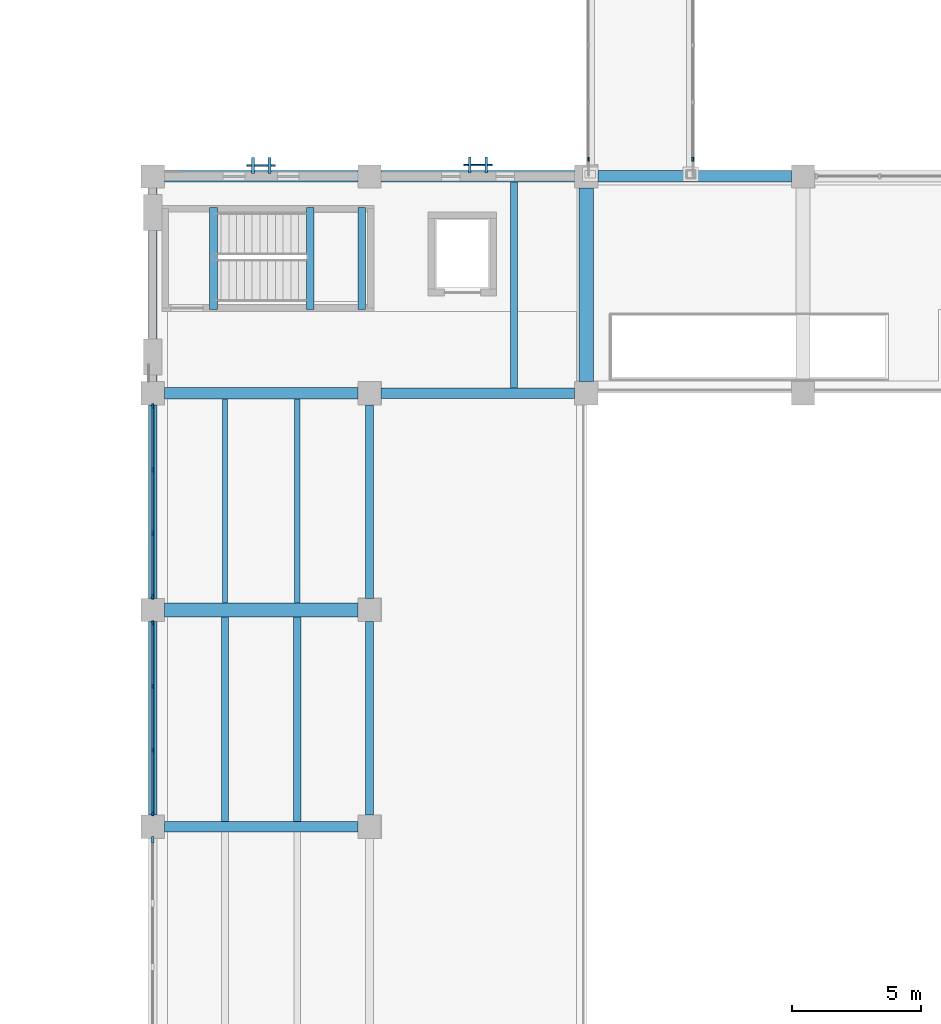
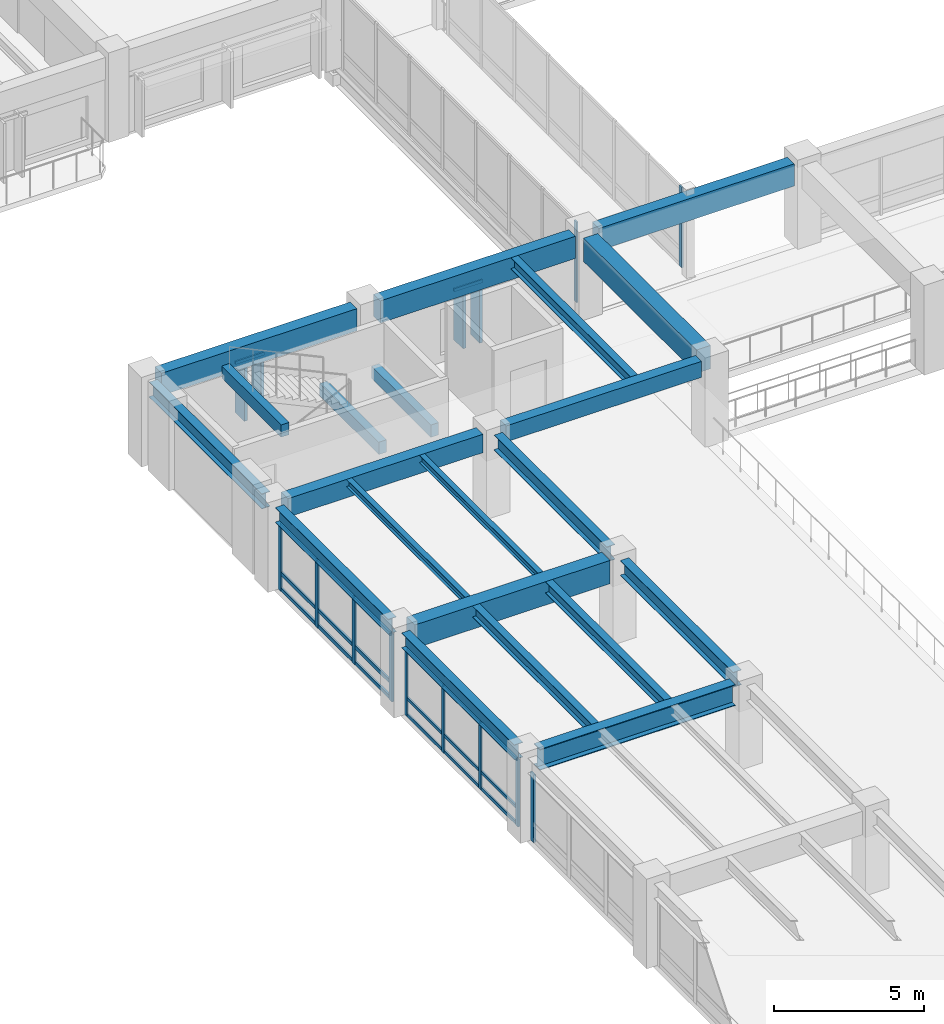
# One storey, part 17 of 118: 35 members, 21 beams, 7 elements without a shape of their own.
"""IFC4 building model written with IfcOpenShell, lengths in metres."""

from ifc_helpers import new_model, si_unit, direction, frame, origin, origin_2d, place, context, subcontext, project, spatial, rectangle, i_section, extrude, material, material_profile, profile_set, type_object, element, aggregate, save


model = new_model("IFC4")

# Units and contexts
model_context = context("Model", 3, precision=1e-05, world=origin(), true_north=direction((0.0, 1.0)))
body_context = subcontext(model_context, "Body", "Model", "MODEL_VIEW")
ifc_project = project(units=[si_unit("LENGTHUNIT", "METRE"), si_unit("AREAUNIT", "SQUARE_METRE"), si_unit("VOLUMEUNIT", "CUBIC_METRE"), si_unit("PLANEANGLEUNIT", "RADIAN"), si_unit("MASSUNIT", "GRAM", prefix="KILO")], contexts=[model_context])

# Site, building, storey
site_placement = place(None, origin())
site = spatial("IfcSite", under=ifc_project, at=site_placement, CompositionType="ELEMENT")
building_placement = place(site_placement, origin())
building = spatial("IfcBuilding", under=site, at=building_placement, Name="Cumbredor Promenade Congress Hotel", CompositionType="ELEMENT")
storey_placement = place(building_placement, frame((0.0, 0.0, 3.919921875)))
storey = spatial("IfcBuildingStorey", under=building, at=storey_placement, Name="L01", CompositionType="ELEMENT", Elevation=3.919921875)

# Beams
ifc_material_1 = material(Name="Concrete C40/50", Category="concrete")
ifc_material_profile_1 = material_profile(ifc_material_1, rectangle(XDim=0.39990234375, YDim=0.64990234375, at=origin_2d()), Name="RC BEAM 400x650")
ifc_profile_set_1 = profile_set([ifc_material_profile_1], Name="Concrete C40/50")
beam_type_1 = type_object("IfcBeamType", Name="BM-RC-400x650", PredefinedType="BEAM", material=ifc_profile_set_1)
beam_1_placement = place(storey_placement, frame((17.25, 58.800048828125, 3.03515625), z_axis=(1.0, 0.0, 0.0), x_axis=(0.0, 1.0, 0.0)))
element("IfcBeam", 1, at=beam_1_placement, inside=storey, type_object=beam_type_1, Name="L02 X-Grid Beam 041", PredefinedType="BEAM", context=body_context, shape_type="SweptSolid", body=[
    extrude(rectangle(XDim=0.39990234375, YDim=0.64990234375, at=origin_2d()), origin(), (0.0, 0.0, 1.0), 7.5),
])
ifc_material_profile_2 = material_profile(ifc_material_1, rectangle(XDim=0.449951171875, YDim=0.75, at=origin_2d()), Name="RC BEAM 450x750")
ifc_profile_set_2 = profile_set([ifc_material_profile_2], Name="Concrete C40/50")
beam_type_2 = type_object("IfcBeamType", Name="BM-RC-450x750", PredefinedType="BEAM", material=ifc_profile_set_2)
beam_2_placement = place(storey_placement, frame((8.85009765625, 58.800048828125, 2.985107421875), z_axis=(1.0, 0.0, 0.0), x_axis=(0.0, 1.0, 0.0)))
element("IfcBeam", 2, at=beam_2_placement, inside=storey, type_object=beam_type_2, Name="L02 X-Grid Beam 022", PredefinedType="BEAM", context=body_context, shape_type="SweptSolid", body=[
    extrude(rectangle(XDim=0.449951171875, YDim=0.75, at=origin_2d()), origin(), (0.0, 0.0, 1.0), 7.5),
])
ifc_material_profile_3 = material_profile(ifc_material_1, rectangle(XDim=0.550048828125, YDim=0.949951171875, at=origin_2d()), Name="RC BEAM 550x950")
ifc_profile_set_3 = profile_set([ifc_material_profile_3], Name="Concrete C40/50")
beam_type_3 = type_object("IfcBeamType", Name="BM-RC-550x950", PredefinedType="BEAM", material=ifc_profile_set_3)
for number, where, z_axis, x_axis, name in (
    (3, (8.85009765625, 50.39990234375, 2.885009765625), (1.0, 0.0, 0.0), (0.0, 1.0, 0.0), "L02 X-Grid Beam 020"),
    (4, (25.199951171875, 59.25, 2.885009765625), (0.0, 1.0, 0.0), (-1.0, 0.0, 0.0), "L02 Y-Grid Beam 052"),
):
    element("IfcBeam", number, at=place(storey_placement, frame(where, z_axis=z_axis, x_axis=x_axis)), inside=storey, type_object=beam_type_3, Name=name, PredefinedType="BEAM", context=body_context, shape_type="SweptSolid", body=[
        extrude(rectangle(XDim=0.550048828125, YDim=0.949951171875, at=origin_2d()), origin(), (0.0, 0.0, 1.0), 7.5),
    ])
ifc_material_2 = material(Name="Steel ASTM A992 Grade 50", Category="steel")
ifc_material_profile_4 = material_profile(ifc_material_2, i_section(OverallWidth=0.39990234375, OverallDepth=0.85498046875, WebThickness=0.018310546875, FlangeThickness=0.029296875, at=origin_2d()), Name="W33X201")
ifc_profile_set_4 = profile_set([ifc_material_profile_4], Name="Steel ASTM A992 Grade 50")
beam_type_4 = type_object("IfcBeamType", Name="BM-W33X201", PredefinedType="BEAM", material=ifc_profile_set_4)
beam_3_placement = place(storey_placement, frame((8.85009765625, 42.0, 2.9326171875), z_axis=(1.0, 0.0, 0.0), x_axis=(0.0, 1.0, 0.0)))
element("IfcBeam", 5, at=beam_3_placement, inside=storey, type_object=beam_type_4, Name="L02 X-Grid Beam 018", PredefinedType="BEAM", context=body_context, shape_type="SweptSolid", body=[
    extrude(i_section(OverallWidth=0.39990234375, OverallDepth=0.85498046875, WebThickness=0.018310546875, FlangeThickness=0.029296875, at=origin_2d()), origin(), (0.0, 0.0, 1.0), 7.5),
])

# Curtain wall, members
ifc_material_3 = material(Name="Thermally broken anodized aluminium and low-E glass", Category="aluminium")
curtain_wall_type_1 = type_object("IfcCurtainWallType", Name="Unitised Bronze Curtain Wall CW-01", PredefinedType="NOTDEFINED", material=ifc_material_3)
curtain_wall_1_placement = place(storey_placement, origin())
curtain_wall_1 = element("IfcCurtainWall", 6, at=curtain_wall_1_placement, inside=storey, type_object=curtain_wall_type_1, Name="L01 Plenary Congress Hall West Curtain Wall 5", PredefinedType="NOTDEFINED")
ifc_material_4 = material(Name="Thermally broken anodized aluminium", Category="aluminium")
ifc_material_profile_5 = material_profile(ifc_material_4, rectangle(XDim=0.06494140625, YDim=0.159912109375, at=origin_2d()), Name="ALU MULLION 65x160")
ifc_profile_set_5 = profile_set([ifc_material_profile_5], Name="Thermally broken anodized aluminium")
member_type_1 = type_object("IfcMemberType", Name="Curtain Wall Mullion ML-01", PredefinedType="MULLION", material=ifc_profile_set_5)
member_1_placement = place(storey_placement, frame((8.39990234375, 42.5048828125, -0.0078125), z_axis=(0.0, 0.0, 1.0), x_axis=(1.0, 0.0, 0.0)))
member_1 = element("IfcMember", 7, at=member_1_placement, type_object=member_type_1, Name="L01 Plenary Congress Hall West Curtain Wall 5 Mullion 1", PredefinedType="MULLION", context=body_context, shape_type="SweptSolid", body=[
    extrude(rectangle(XDim=0.06494140625, YDim=0.159912109375, at=origin_2d()), origin(), (0.0, 0.0, 1.0), 2.75),
])
member_2_placement = place(storey_placement, frame((8.39990234375, 44.96826171875, -0.0078125), z_axis=(0.0, 0.0, 1.0), x_axis=(1.0, 0.0, 0.0)))
member_2 = element("IfcMember", 8, at=member_2_placement, type_object=member_type_1, Name="L01 Plenary Congress Hall West Curtain Wall 5 Mullion 2", PredefinedType="MULLION", context=body_context, shape_type="SweptSolid", body=[
    extrude(rectangle(XDim=0.06494140625, YDim=0.159912109375, at=origin_2d()), origin(), (0.0, 0.0, 1.0), 2.75),
])
member_3_placement = place(storey_placement, frame((8.39990234375, 47.431640625, -0.0078125), z_axis=(0.0, 0.0, 1.0), x_axis=(1.0, 0.0, 0.0)))
member_3 = element("IfcMember", 9, at=member_3_placement, type_object=member_type_1, Name="L01 Plenary Congress Hall West Curtain Wall 5 Mullion 3", PredefinedType="MULLION", context=body_context, shape_type="SweptSolid", body=[
    extrude(rectangle(XDim=0.06494140625, YDim=0.159912109375, at=origin_2d()), origin(), (0.0, 0.0, 1.0), 2.75),
])
member_4_placement = place(storey_placement, frame((8.39990234375, 49.89501953125, -0.0078125), z_axis=(0.0, 0.0, 1.0), x_axis=(1.0, 0.0, 0.0)))
member_4 = element("IfcMember", 10, at=member_4_placement, type_object=member_type_1, Name="L01 Plenary Congress Hall West Curtain Wall 5 Mullion 4", PredefinedType="MULLION", context=body_context, shape_type="SweptSolid", body=[
    extrude(rectangle(XDim=0.06494140625, YDim=0.159912109375, at=origin_2d()), origin(), (0.0, 0.0, 1.0), 2.75),
])

# Curtain wall, member
curtain_wall_type_2 = type_object("IfcCurtainWallType", Name="Unitised Bridge Glazing Screen CW-05", PredefinedType="NOTDEFINED", material=ifc_material_3)
curtain_wall_2_placement = place(storey_placement, origin())
curtain_wall_2 = element("IfcCurtainWall", 11, at=curtain_wall_2_placement, inside=storey, type_object=curtain_wall_type_2, Name="L01 West Congress-to-Hotel Glazed Bridge West Glazing Screen", PredefinedType="NOTDEFINED")
member_5_placement = place(storey_placement, frame((25.280029296875, 67.860107421875, -0.0078125), z_axis=(0.0, 0.0, 1.0), x_axis=(1.0, 0.0, 0.0)))
member_5 = element("IfcMember", 12, at=member_5_placement, type_object=member_type_1, Name="L01 West Congress-to-Hotel Glazed Bridge West Glazing Screen Mullion 1", PredefinedType="MULLION", context=body_context, shape_type="SweptSolid", body=[
    extrude(rectangle(XDim=0.06494140625, YDim=0.159912109375, at=origin_2d()), origin(), (0.0, 0.0, 1.0), 3.27587890625),
])
aggregate(curtain_wall_2, [member_5])

curtain_wall_3_placement = place(storey_placement, origin())
curtain_wall_3 = element("IfcCurtainWall", 13, at=curtain_wall_3_placement, inside=storey, type_object=curtain_wall_type_2, Name="L01 West Congress-to-Hotel Glazed Bridge East Glazing Screen", PredefinedType="NOTDEFINED")
member_6_placement = place(storey_placement, frame((29.320068359375, 67.860107421875, -0.0078125), z_axis=(0.0, 0.0, 1.0), x_axis=(1.0, 0.0, 0.0)))
member_6 = element("IfcMember", 14, at=member_6_placement, type_object=member_type_1, Name="L01 West Congress-to-Hotel Glazed Bridge East Glazing Screen Mullion 1", PredefinedType="MULLION", context=body_context, shape_type="SweptSolid", body=[
    extrude(rectangle(XDim=0.06494140625, YDim=0.159912109375, at=origin_2d()), origin(), (0.0, 0.0, 1.0), 3.27587890625),
])
aggregate(curtain_wall_3, [member_6])

# Curtain wall, members
curtain_wall_4_placement = place(storey_placement, origin())
curtain_wall_4 = element("IfcCurtainWall", 15, at=curtain_wall_4_placement, inside=storey, type_object=curtain_wall_type_1, Name="L01 Plenary Congress Hall West Curtain Wall 6", PredefinedType="NOTDEFINED")
ifc_material_profile_6 = material_profile(ifc_material_4, rectangle(XDim=0.074951171875, YDim=0.199951171875, at=origin_2d()), Name="ALU MULLION 75x200")
ifc_profile_set_6 = profile_set([ifc_material_profile_6], Name="Thermally broken anodized aluminium")
member_type_2 = type_object("IfcMemberType", Name="Curtain Wall Mullion ML-02", PredefinedType="MULLION", material=ifc_profile_set_6)
member_7_placement = place(storey_placement, frame((8.39990234375, 50.905029296875, -0.0078125), z_axis=(0.0, 0.0, 1.0), x_axis=(1.0, 0.0, 0.0)))
member_7 = element("IfcMember", 16, at=member_7_placement, type_object=member_type_2, Name="L01 Plenary Congress Hall West Curtain Wall 6 Mullion 1", PredefinedType="MULLION", context=body_context, shape_type="SweptSolid", body=[
    extrude(rectangle(XDim=0.074951171875, YDim=0.199951171875, at=origin_2d()), origin(), (0.0, 0.0, 1.0), 2.75),
])
member_8_placement = place(storey_placement, frame((8.39990234375, 53.368408203125, -0.0078125), z_axis=(0.0, 0.0, 1.0), x_axis=(1.0, 0.0, 0.0)))
member_8 = element("IfcMember", 17, at=member_8_placement, type_object=member_type_2, Name="L01 Plenary Congress Hall West Curtain Wall 6 Mullion 2", PredefinedType="MULLION", context=body_context, shape_type="SweptSolid", body=[
    extrude(rectangle(XDim=0.074951171875, YDim=0.199951171875, at=origin_2d()), origin(), (0.0, 0.0, 1.0), 2.75),
])
member_9_placement = place(storey_placement, frame((8.39990234375, 55.831787109375, -0.0078125), z_axis=(0.0, 0.0, 1.0), x_axis=(1.0, 0.0, 0.0)))
member_9 = element("IfcMember", 18, at=member_9_placement, type_object=member_type_2, Name="L01 Plenary Congress Hall West Curtain Wall 6 Mullion 3", PredefinedType="MULLION", context=body_context, shape_type="SweptSolid", body=[
    extrude(rectangle(XDim=0.074951171875, YDim=0.199951171875, at=origin_2d()), origin(), (0.0, 0.0, 1.0), 2.75),
])
member_10_placement = place(storey_placement, frame((8.39990234375, 58.294921875, -0.0078125), z_axis=(0.0, 0.0, 1.0), x_axis=(1.0, 0.0, 0.0)))
member_10 = element("IfcMember", 19, at=member_10_placement, type_object=member_type_2, Name="L01 Plenary Congress Hall West Curtain Wall 6 Mullion 4", PredefinedType="MULLION", context=body_context, shape_type="SweptSolid", body=[
    extrude(rectangle(XDim=0.074951171875, YDim=0.199951171875, at=origin_2d()), origin(), (0.0, 0.0, 1.0), 2.75),
])

# Curtain wall, member
curtain_wall_5_placement = place(storey_placement, origin())
curtain_wall_5 = element("IfcCurtainWall", 20, at=curtain_wall_5_placement, inside=storey, type_object=curtain_wall_type_1, Name="L01 Plenary Congress Hall West Curtain Wall 4", PredefinedType="NOTDEFINED")
ifc_material_profile_7 = material_profile(ifc_material_4, rectangle(XDim=0.080078125, YDim=0.239990234375, at=origin_2d()), Name="ALU MULLION 80x240")
ifc_profile_set_7 = profile_set([ifc_material_profile_7], Name="Thermally broken anodized aluminium")
member_type_3 = type_object("IfcMemberType", Name="Curtain Wall Mullion ML-03", PredefinedType="MULLION", material=ifc_profile_set_7)
member_11_placement = place(storey_placement, frame((8.39990234375, 41.4951171875, -0.0078125), z_axis=(0.0, 0.0, 1.0), x_axis=(1.0, 0.0, 0.0)))
member_11 = element("IfcMember", 21, at=member_11_placement, type_object=member_type_3, Name="L01 Plenary Congress Hall West Curtain Wall 4 Mullion 4", PredefinedType="MULLION", context=body_context, shape_type="SweptSolid", body=[
    extrude(rectangle(XDim=0.080078125, YDim=0.239990234375, at=origin_2d()), origin(), (0.0, 0.0, 1.0), 2.75),
])
aggregate(curtain_wall_5, [member_11])

curtain_wall_type_3 = type_object("IfcCurtainWallType", Name="Solar Brise-Soleil Screen Assembly CW-07", PredefinedType="NOTDEFINED", material=ifc_material_3)
curtain_wall_6_placement = place(storey_placement, origin())
curtain_wall_6 = element("IfcCurtainWall", 22, at=curtain_wall_6_placement, inside=storey, type_object=curtain_wall_type_3, Name="L01 Pier Brise-Soleil Screen 0151", PredefinedType="NOTDEFINED")
ifc_material_profile_8 = material_profile(ifc_material_4, rectangle(XDim=0.06494140625, YDim=0.1298828125, at=origin_2d()), Name="ALU TRANSOM 65x130")
ifc_profile_set_8 = profile_set([ifc_material_profile_8], Name="Thermally broken anodized aluminium")
member_type_4 = type_object("IfcMemberType", Name="Curtain Wall Transom TR-01", PredefinedType="USERDEFINED", material=ifc_profile_set_8)
member_12_placement = place(storey_placement, frame((12.050048828125, 67.62255859375, 2.28515625), z_axis=(1.0, 0.0, 0.0), x_axis=(0.0, 1.0, 0.0)))
member_12 = element("IfcMember", 23, at=member_12_placement, type_object=member_type_4, Name="L01 Pier Brise-Soleil Header 0153", ObjectType="TRANSOM", PredefinedType="USERDEFINED", context=body_context, shape_type="SweptSolid", body=[
    extrude(rectangle(XDim=0.06494140625, YDim=0.1298828125, at=origin_2d()), origin(), (0.0, 0.0, 1.0), 1.099853515625),
])

curtain_wall_7_placement = place(storey_placement, origin())
curtain_wall_7 = element("IfcCurtainWall", 24, at=curtain_wall_7_placement, inside=storey, type_object=curtain_wall_type_3, Name="L01 Pier Brise-Soleil Screen 0154", PredefinedType="NOTDEFINED")
member_13_placement = place(storey_placement, frame((20.449951171875, 67.635009765625, 2.28515625), z_axis=(1.0, 0.0, 0.0), x_axis=(0.0, 1.0, 0.0)))
member_13 = element("IfcMember", 25, at=member_13_placement, type_object=member_type_4, Name="L01 Pier Brise-Soleil Header 0156", ObjectType="TRANSOM", PredefinedType="USERDEFINED", context=body_context, shape_type="SweptSolid", body=[
    extrude(rectangle(XDim=0.06494140625, YDim=0.1298828125, at=origin_2d()), origin(), (0.0, 0.0, 1.0), 1.10009765625),
])

# Member
member_14_placement = place(storey_placement, frame((8.39990234375, 42.53759765625, 0.06005859375), z_axis=(0.0, 1.0, 0.0), x_axis=(-1.0, 0.0, 0.0)))
member_14 = element("IfcMember", 26, at=member_14_placement, type_object=member_type_4, Name="L01 Plenary Congress Hall West Curtain Wall 5 Transom 1.1", ObjectType="TRANSOM", PredefinedType="USERDEFINED", context=body_context, shape_type="SweptSolid", body=[
    extrude(rectangle(XDim=0.06494140625, YDim=0.1298828125, at=origin_2d()), origin(), (0.0, 0.0, 1.0), 2.398193359375),
])

member_15_placement = place(storey_placement, frame((8.39990234375, 42.53759765625, 0.719970703125), z_axis=(0.0, 1.0, 0.0), x_axis=(-1.0, 0.0, 0.0)))
member_15 = element("IfcMember", 27, at=member_15_placement, type_object=member_type_4, Name="L01 Plenary Congress Hall West Curtain Wall 5 Transom 1.2", ObjectType="TRANSOM", PredefinedType="USERDEFINED", context=body_context, shape_type="SweptSolid", body=[
    extrude(rectangle(XDim=0.06494140625, YDim=0.1298828125, at=origin_2d()), origin(), (0.0, 0.0, 1.0), 2.398193359375),
])

member_16_placement = place(storey_placement, frame((8.39990234375, 42.53759765625, 2.670166015625), z_axis=(0.0, 1.0, 0.0), x_axis=(-1.0, 0.0, 0.0)))
member_16 = element("IfcMember", 28, at=member_16_placement, type_object=member_type_4, Name="L01 Plenary Congress Hall West Curtain Wall 5 Transom 1.3", ObjectType="TRANSOM", PredefinedType="USERDEFINED", context=body_context, shape_type="SweptSolid", body=[
    extrude(rectangle(XDim=0.06494140625, YDim=0.1298828125, at=origin_2d()), origin(), (0.0, 0.0, 1.0), 2.398193359375),
])

member_17_placement = place(storey_placement, frame((8.39990234375, 45.000732421875, 0.06005859375), z_axis=(0.0, 1.0, 0.0), x_axis=(-1.0, 0.0, 0.0)))
member_17 = element("IfcMember", 29, at=member_17_placement, type_object=member_type_4, Name="L01 Plenary Congress Hall West Curtain Wall 5 Transom 2.1", ObjectType="TRANSOM", PredefinedType="USERDEFINED", context=body_context, shape_type="SweptSolid", body=[
    extrude(rectangle(XDim=0.06494140625, YDim=0.1298828125, at=origin_2d()), origin(), (0.0, 0.0, 1.0), 2.3984375),
])

member_18_placement = place(storey_placement, frame((8.39990234375, 45.000732421875, 0.719970703125), z_axis=(0.0, 1.0, 0.0), x_axis=(-1.0, 0.0, 0.0)))
member_18 = element("IfcMember", 30, at=member_18_placement, type_object=member_type_4, Name="L01 Plenary Congress Hall West Curtain Wall 5 Transom 2.2", ObjectType="TRANSOM", PredefinedType="USERDEFINED", context=body_context, shape_type="SweptSolid", body=[
    extrude(rectangle(XDim=0.06494140625, YDim=0.1298828125, at=origin_2d()), origin(), (0.0, 0.0, 1.0), 2.3984375),
])

member_19_placement = place(storey_placement, frame((8.39990234375, 45.000732421875, 2.670166015625), z_axis=(0.0, 1.0, 0.0), x_axis=(-1.0, 0.0, 0.0)))
member_19 = element("IfcMember", 31, at=member_19_placement, type_object=member_type_4, Name="L01 Plenary Congress Hall West Curtain Wall 5 Transom 2.3", ObjectType="TRANSOM", PredefinedType="USERDEFINED", context=body_context, shape_type="SweptSolid", body=[
    extrude(rectangle(XDim=0.06494140625, YDim=0.1298828125, at=origin_2d()), origin(), (0.0, 0.0, 1.0), 2.3984375),
])

member_20_placement = place(storey_placement, frame((8.39990234375, 47.464111328125, 0.06005859375), z_axis=(0.0, 1.0, 0.0), x_axis=(-1.0, 0.0, 0.0)))
member_20 = element("IfcMember", 32, at=member_20_placement, type_object=member_type_4, Name="L01 Plenary Congress Hall West Curtain Wall 5 Transom 3.1", ObjectType="TRANSOM", PredefinedType="USERDEFINED", context=body_context, shape_type="SweptSolid", body=[
    extrude(rectangle(XDim=0.06494140625, YDim=0.1298828125, at=origin_2d()), origin(), (0.0, 0.0, 1.0), 2.3984375),
])

member_21_placement = place(storey_placement, frame((8.39990234375, 47.464111328125, 0.719970703125), z_axis=(0.0, 1.0, 0.0), x_axis=(-1.0, 0.0, 0.0)))
member_21 = element("IfcMember", 33, at=member_21_placement, type_object=member_type_4, Name="L01 Plenary Congress Hall West Curtain Wall 5 Transom 3.2", ObjectType="TRANSOM", PredefinedType="USERDEFINED", context=body_context, shape_type="SweptSolid", body=[
    extrude(rectangle(XDim=0.06494140625, YDim=0.1298828125, at=origin_2d()), origin(), (0.0, 0.0, 1.0), 2.3984375),
])

member_22_placement = place(storey_placement, frame((8.39990234375, 47.464111328125, 2.670166015625), z_axis=(0.0, 1.0, 0.0), x_axis=(-1.0, 0.0, 0.0)))
member_22 = element("IfcMember", 34, at=member_22_placement, type_object=member_type_4, Name="L01 Plenary Congress Hall West Curtain Wall 5 Transom 3.3", ObjectType="TRANSOM", PredefinedType="USERDEFINED", context=body_context, shape_type="SweptSolid", body=[
    extrude(rectangle(XDim=0.06494140625, YDim=0.1298828125, at=origin_2d()), origin(), (0.0, 0.0, 1.0), 2.3984375),
])

aggregate(curtain_wall_1, [member_1, member_2, member_3, member_4, member_14, member_15, member_16, member_17, member_18, member_19, member_20, member_21, member_22])

ifc_material_profile_9 = material_profile(ifc_material_4, rectangle(XDim=0.074951171875, YDim=0.14990234375, at=origin_2d()), Name="ALU TRANSOM 75x150")
ifc_profile_set_9 = profile_set([ifc_material_profile_9], Name="Thermally broken anodized aluminium")
member_type_5 = type_object("IfcMemberType", Name="Curtain Wall Transom TR-02", PredefinedType="USERDEFINED", material=ifc_profile_set_9)
member_23_placement = place(storey_placement, frame((8.39990234375, 50.9423828125, 0.080078125), z_axis=(0.0, 1.0, 0.0), x_axis=(-1.0, 0.0, 0.0)))
member_23 = element("IfcMember", 35, at=member_23_placement, type_object=member_type_5, Name="L01 Plenary Congress Hall West Curtain Wall 6 Transom 1.1", ObjectType="TRANSOM", PredefinedType="USERDEFINED", context=body_context, shape_type="SweptSolid", body=[
    extrude(rectangle(XDim=0.074951171875, YDim=0.14990234375, at=origin_2d()), origin(), (0.0, 0.0, 1.0), 2.388427734375),
])

member_24_placement = place(storey_placement, frame((8.39990234375, 50.9423828125, 0.719970703125), z_axis=(0.0, 1.0, 0.0), x_axis=(-1.0, 0.0, 0.0)))
member_24 = element("IfcMember", 36, at=member_24_placement, type_object=member_type_5, Name="L01 Plenary Congress Hall West Curtain Wall 6 Transom 1.2", ObjectType="TRANSOM", PredefinedType="USERDEFINED", context=body_context, shape_type="SweptSolid", body=[
    extrude(rectangle(XDim=0.074951171875, YDim=0.14990234375, at=origin_2d()), origin(), (0.0, 0.0, 1.0), 2.388427734375),
])

member_25_placement = place(storey_placement, frame((8.39990234375, 50.9423828125, 2.66015625), z_axis=(0.0, 1.0, 0.0), x_axis=(-1.0, 0.0, 0.0)))
member_25 = element("IfcMember", 37, at=member_25_placement, type_object=member_type_5, Name="L01 Plenary Congress Hall West Curtain Wall 6 Transom 1.3", ObjectType="TRANSOM", PredefinedType="USERDEFINED", context=body_context, shape_type="SweptSolid", body=[
    extrude(rectangle(XDim=0.074951171875, YDim=0.14990234375, at=origin_2d()), origin(), (0.0, 0.0, 1.0), 2.388427734375),
])

member_26_placement = place(storey_placement, frame((8.39990234375, 53.40576171875, 0.080078125), z_axis=(0.0, 1.0, 0.0), x_axis=(-1.0, 0.0, 0.0)))
member_26 = element("IfcMember", 38, at=member_26_placement, type_object=member_type_5, Name="L01 Plenary Congress Hall West Curtain Wall 6 Transom 2.1", ObjectType="TRANSOM", PredefinedType="USERDEFINED", context=body_context, shape_type="SweptSolid", body=[
    extrude(rectangle(XDim=0.074951171875, YDim=0.14990234375, at=origin_2d()), origin(), (0.0, 0.0, 1.0), 2.388427734375),
])

member_27_placement = place(storey_placement, frame((8.39990234375, 53.40576171875, 0.719970703125), z_axis=(0.0, 1.0, 0.0), x_axis=(-1.0, 0.0, 0.0)))
member_27 = element("IfcMember", 39, at=member_27_placement, type_object=member_type_5, Name="L01 Plenary Congress Hall West Curtain Wall 6 Transom 2.2", ObjectType="TRANSOM", PredefinedType="USERDEFINED", context=body_context, shape_type="SweptSolid", body=[
    extrude(rectangle(XDim=0.074951171875, YDim=0.14990234375, at=origin_2d()), origin(), (0.0, 0.0, 1.0), 2.388427734375),
])

member_28_placement = place(storey_placement, frame((8.39990234375, 53.40576171875, 2.66015625), z_axis=(0.0, 1.0, 0.0), x_axis=(-1.0, 0.0, 0.0)))
member_28 = element("IfcMember", 40, at=member_28_placement, type_object=member_type_5, Name="L01 Plenary Congress Hall West Curtain Wall 6 Transom 2.3", ObjectType="TRANSOM", PredefinedType="USERDEFINED", context=body_context, shape_type="SweptSolid", body=[
    extrude(rectangle(XDim=0.074951171875, YDim=0.14990234375, at=origin_2d()), origin(), (0.0, 0.0, 1.0), 2.388427734375),
])

member_29_placement = place(storey_placement, frame((8.39990234375, 55.869140625, 0.080078125), z_axis=(0.0, 1.0, 0.0), x_axis=(-1.0, 0.0, 0.0)))
member_29 = element("IfcMember", 41, at=member_29_placement, type_object=member_type_5, Name="L01 Plenary Congress Hall West Curtain Wall 6 Transom 3.1", ObjectType="TRANSOM", PredefinedType="USERDEFINED", context=body_context, shape_type="SweptSolid", body=[
    extrude(rectangle(XDim=0.074951171875, YDim=0.14990234375, at=origin_2d()), origin(), (0.0, 0.0, 1.0), 2.388427734375),
])

member_30_placement = place(storey_placement, frame((8.39990234375, 55.869140625, 0.719970703125), z_axis=(0.0, 1.0, 0.0), x_axis=(-1.0, 0.0, 0.0)))
member_30 = element("IfcMember", 42, at=member_30_placement, type_object=member_type_5, Name="L01 Plenary Congress Hall West Curtain Wall 6 Transom 3.2", ObjectType="TRANSOM", PredefinedType="USERDEFINED", context=body_context, shape_type="SweptSolid", body=[
    extrude(rectangle(XDim=0.074951171875, YDim=0.14990234375, at=origin_2d()), origin(), (0.0, 0.0, 1.0), 2.388427734375),
])

member_31_placement = place(storey_placement, frame((8.39990234375, 55.869140625, 2.66015625), z_axis=(0.0, 1.0, 0.0), x_axis=(-1.0, 0.0, 0.0)))
member_31 = element("IfcMember", 43, at=member_31_placement, type_object=member_type_5, Name="L01 Plenary Congress Hall West Curtain Wall 6 Transom 3.3", ObjectType="TRANSOM", PredefinedType="USERDEFINED", context=body_context, shape_type="SweptSolid", body=[
    extrude(rectangle(XDim=0.074951171875, YDim=0.14990234375, at=origin_2d()), origin(), (0.0, 0.0, 1.0), 2.388427734375),
])

aggregate(curtain_wall_4, [member_7, member_8, member_9, member_10, member_23, member_24, member_25, member_26, member_27, member_28, member_29, member_30, member_31])

# Beams
ifc_material_profile_10 = material_profile(ifc_material_2, i_section(OverallWidth=0.202880859375, OverallDepth=0.302978515625, WebThickness=0.007568359375, FlangeThickness=0.01318359375, at=origin_2d()), Name="W12X40")
ifc_profile_set_10 = profile_set([ifc_material_profile_10], Name="Steel ASTM A992 Grade 50")
beam_type_5 = type_object("IfcBeamType", Name="JST-W12X40", PredefinedType="JOIST", material=ifc_profile_set_10)
for number, where, z_axis, x_axis, name in (
    (44, (11.199951171875, 50.675048828125, 3.20849609375), (0.0, 1.0, 0.0), (-1.0, 0.0, 0.0), "L02 Secondary Floor Joist 0017"),
    (45, (14.0, 50.675048828125, 3.20849609375), (0.0, 1.0, 0.0), (-1.0, 0.0, 0.0), "L02 Secondary Floor Joist 0018"),
):
    element("IfcBeam", number, at=place(storey_placement, frame(where, z_axis=z_axis, x_axis=x_axis)), inside=storey, type_object=beam_type_5, Name=name, PredefinedType="JOIST", context=body_context, shape_type="SweptSolid", body=[
        extrude(i_section(OverallWidth=0.202880859375, OverallDepth=0.302978515625, WebThickness=0.007568359375, FlangeThickness=0.01318359375, at=origin_2d()), origin(), (0.0, 0.0, 1.0), 7.89990234375),
    ])
ifc_material_profile_11 = material_profile(ifc_material_2, i_section(OverallWidth=0.280029296875, OverallDepth=0.462890625, WebThickness=0.0107421875, FlangeThickness=0.017333984375, at=origin_2d()), Name="W18X76")
ifc_profile_set_11 = profile_set([ifc_material_profile_11], Name="Steel ASTM A992 Grade 50")
beam_type_6 = type_object("IfcBeamType", Name="JST-W18X76", PredefinedType="JOIST", material=ifc_profile_set_11)
for number, where, z_axis, x_axis, name in (
    (46, (11.199951171875, 42.199951171875, 3.128662109375), (0.0, 1.0, 0.0), (-1.0, 0.0, 0.0), "L02 Secondary Floor Joist 0015"),
    (47, (14.0, 42.199951171875, 3.128662109375), (0.0, 1.0, 0.0), (-1.0, 0.0, 0.0), "L02 Secondary Floor Joist 0016"),
):
    element("IfcBeam", number, at=place(storey_placement, frame(where, z_axis=z_axis, x_axis=x_axis)), inside=storey, type_object=beam_type_6, Name=name, PredefinedType="JOIST", context=body_context, shape_type="SweptSolid", body=[
        extrude(i_section(OverallWidth=0.280029296875, OverallDepth=0.462890625, WebThickness=0.0107421875, FlangeThickness=0.017333984375, at=origin_2d()), origin(), (0.0, 0.0, 1.0), 7.925048828125),
    ])
beam_4_placement = place(storey_placement, frame((22.39990234375, 59.0, 3.128662109375), z_axis=(0.0, 1.0, 0.0), x_axis=(-1.0, 0.0, 0.0)))
element("IfcBeam", 48, at=beam_4_placement, inside=storey, type_object=beam_type_6, Name="L02 Secondary Floor Joist 0025", PredefinedType="JOIST", context=body_context, shape_type="SweptSolid", body=[
    extrude(i_section(OverallWidth=0.280029296875, OverallDepth=0.462890625, WebThickness=0.0107421875, FlangeThickness=0.017333984375, at=origin_2d()), origin(), (0.0, 0.0, 1.0), 7.97509765625),
])
ifc_material_profile_12 = material_profile(ifc_material_1, rectangle(XDim=0.300048828125, YDim=0.5, at=origin_2d()), Name="RC LINTEL 300x500")
ifc_profile_set_12 = profile_set([ifc_material_profile_12], Name="Concrete C40/50")
beam_type_7 = type_object("IfcBeamType", Name="LN-RC-300x500", PredefinedType="LINTEL", material=ifc_profile_set_12)
for number, where, z_axis, x_axis, name in (
    (49, (16.5, 62.050048828125, 1.3701171875), (0.0, 1.0, 0.0), (-1.0, 0.0, 0.0), "L01 Stair ST-06 Landing Ledger Beam E"),
    (50, (14.5, 62.050048828125, 1.3701171875), (0.0, 1.0, 0.0), (-1.0, 0.0, 0.0), "L01 Stair ST-06 Landing Ledger Beam W"),
    (51, (10.75, 62.050048828125, 3.39013671875), (0.0, 1.0, 0.0), (-1.0, 0.0, 0.0), "L02 Stair ST-06 Well Header Trimmer Beam"),
):
    element("IfcBeam", number, at=place(storey_placement, frame(where, z_axis=z_axis, x_axis=x_axis)), inside=storey, type_object=beam_type_7, Name=name, PredefinedType="LINTEL", context=body_context, shape_type="SweptSolid", body=[
        extrude(rectangle(XDim=0.300048828125, YDim=0.5, at=origin_2d()), origin(), (0.0, 0.0, 1.0), 3.949951171875),
    ])
ifc_material_profile_13 = material_profile(ifc_material_1, rectangle(XDim=0.449951171875, YDim=0.89990234375, at=origin_2d()), Name="RC SPANDREL 450x900")
ifc_profile_set_13 = profile_set([ifc_material_profile_13], Name="Concrete C40/50")
beam_type_8 = type_object("IfcBeamType", Name="SP-RC-450x900", PredefinedType="SPANDREL", material=ifc_profile_set_13)
for number, where, z_axis, x_axis, name in (
    (52, (8.85009765625, 67.199951171875, 2.91015625), (1.0, 0.0, 0.0), (0.0, 1.0, 0.0), "L02 X-Grid Beam 024"),
    (53, (17.25, 67.199951171875, 2.91015625), (1.0, 0.0, 0.0), (0.0, 1.0, 0.0), "L02 X-Grid Beam 042"),
    (54, (25.64990234375, 67.199951171875, 2.91015625), (1.0, 0.0, 0.0), (0.0, 1.0, 0.0), "L02 X-Grid Beam 053"),
):
    element("IfcBeam", number, at=place(storey_placement, frame(where, z_axis=z_axis, x_axis=x_axis)), inside=storey, type_object=beam_type_8, Name=name, PredefinedType="SPANDREL", context=body_context, shape_type="SweptSolid", body=[
        extrude(rectangle(XDim=0.449951171875, YDim=0.89990234375, at=origin_2d()), origin(), (0.0, 0.0, 1.0), 7.5),
    ])
ifc_material_profile_14 = material_profile(ifc_material_2, i_section(OverallWidth=0.323974609375, OverallDepth=0.611083984375, WebThickness=0.0126953125, FlangeThickness=0.01904296875, at=origin_2d()), Name="W24X104")
ifc_profile_set_14 = profile_set([ifc_material_profile_14], Name="Steel ASTM A992 Grade 50")
beam_type_9 = type_object("IfcBeamType", Name="SP-W24X104", PredefinedType="SPANDREL", material=ifc_profile_set_14)
for number, where, z_axis, x_axis, name in (
    (55, (8.39990234375, 42.449951171875, 3.0546875), (0.0, 1.0, 0.0), (-1.0, 0.0, 0.0), "L02 Y-Grid Beam 019"),
    (56, (8.39990234375, 50.85009765625, 3.0546875), (0.0, 1.0, 0.0), (-1.0, 0.0, 0.0), "L02 Y-Grid Beam 021"),
    (57, (8.39990234375, 59.25, 3.0546875), (0.0, 1.0, 0.0), (-1.0, 0.0, 0.0), "L02 Y-Grid Beam 023"),
    (58, (16.800048828125, 42.449951171875, 3.0546875), (0.0, 1.0, 0.0), (-1.0, 0.0, 0.0), "L02 Y-Grid Beam 039"),
    (59, (16.800048828125, 50.85009765625, 3.0546875), (0.0, 1.0, 0.0), (-1.0, 0.0, 0.0), "L02 Y-Grid Beam 040"),
):
    element("IfcBeam", number, at=place(storey_placement, frame(where, z_axis=z_axis, x_axis=x_axis)), inside=storey, type_object=beam_type_9, Name=name, PredefinedType="SPANDREL", context=body_context, shape_type="SweptSolid", body=[
        extrude(i_section(OverallWidth=0.323974609375, OverallDepth=0.611083984375, WebThickness=0.0126953125, FlangeThickness=0.01904296875, at=origin_2d()), origin(), (0.0, 0.0, 1.0), 7.5),
    ])

# Member
ifc_material_profile_15 = material_profile(ifc_material_4, rectangle(XDim=0.110107421875, YDim=0.6201171875, at=origin_2d()), Name="ARCH FIN 110x620")
ifc_profile_set_15 = profile_set([ifc_material_profile_15], Name="Thermally broken anodized aluminium")
member_type_6 = type_object("IfcMemberType", Name="Vertical Bronze Brise-Soleil Fin BSF-02 110x620", PredefinedType="USERDEFINED", material=ifc_profile_set_15)
member_32_placement = place(storey_placement, frame((12.280029296875, 67.62255859375, 0.02001953125), z_axis=(0.0, 0.0, 1.0), x_axis=(1.0, 0.0, 0.0)))
member_32 = element("IfcMember", 60, at=member_32_placement, type_object=member_type_6, Name="L01 Pier Brise-Soleil Fin 0152", ObjectType="SOLAR FIN", PredefinedType="USERDEFINED", context=body_context, shape_type="SweptSolid", body=[
    extrude(rectangle(XDim=0.110107421875, YDim=0.6201171875, at=origin_2d()), origin(), (0.0, 0.0, 1.0), 2.30517578125),
])

member_33_placement = place(storey_placement, frame((12.919921875, 67.62255859375, 0.02001953125), z_axis=(0.0, 0.0, 1.0), x_axis=(1.0, 0.0, 0.0)))
member_33 = element("IfcMember", 61, at=member_33_placement, type_object=member_type_6, Name="L01 Pier Brise-Soleil Fin 0153", ObjectType="SOLAR FIN", PredefinedType="USERDEFINED", context=body_context, shape_type="SweptSolid", body=[
    extrude(rectangle(XDim=0.110107421875, YDim=0.6201171875, at=origin_2d()), origin(), (0.0, 0.0, 1.0), 2.30517578125),
])

aggregate(curtain_wall_6, [member_32, member_33, member_12])

member_34_placement = place(storey_placement, frame((20.679931640625, 67.635009765625, 0.02001953125), z_axis=(0.0, 0.0, 1.0), x_axis=(1.0, 0.0, 0.0)))
member_34 = element("IfcMember", 62, at=member_34_placement, type_object=member_type_6, Name="L01 Pier Brise-Soleil Fin 0155", ObjectType="SOLAR FIN", PredefinedType="USERDEFINED", context=body_context, shape_type="SweptSolid", body=[
    extrude(rectangle(XDim=0.110107421875, YDim=0.6201171875, at=origin_2d()), origin(), (0.0, 0.0, 1.0), 2.30517578125),
])

member_35_placement = place(storey_placement, frame((21.320068359375, 67.635009765625, 0.02001953125), z_axis=(0.0, 0.0, 1.0), x_axis=(1.0, 0.0, 0.0)))
member_35 = element("IfcMember", 63, at=member_35_placement, type_object=member_type_6, Name="L01 Pier Brise-Soleil Fin 0156", ObjectType="SOLAR FIN", PredefinedType="USERDEFINED", context=body_context, shape_type="SweptSolid", body=[
    extrude(rectangle(XDim=0.110107421875, YDim=0.6201171875, at=origin_2d()), origin(), (0.0, 0.0, 1.0), 2.30517578125),
])

aggregate(curtain_wall_7, [member_34, member_35, member_13])

save(model, "model.ifc")
